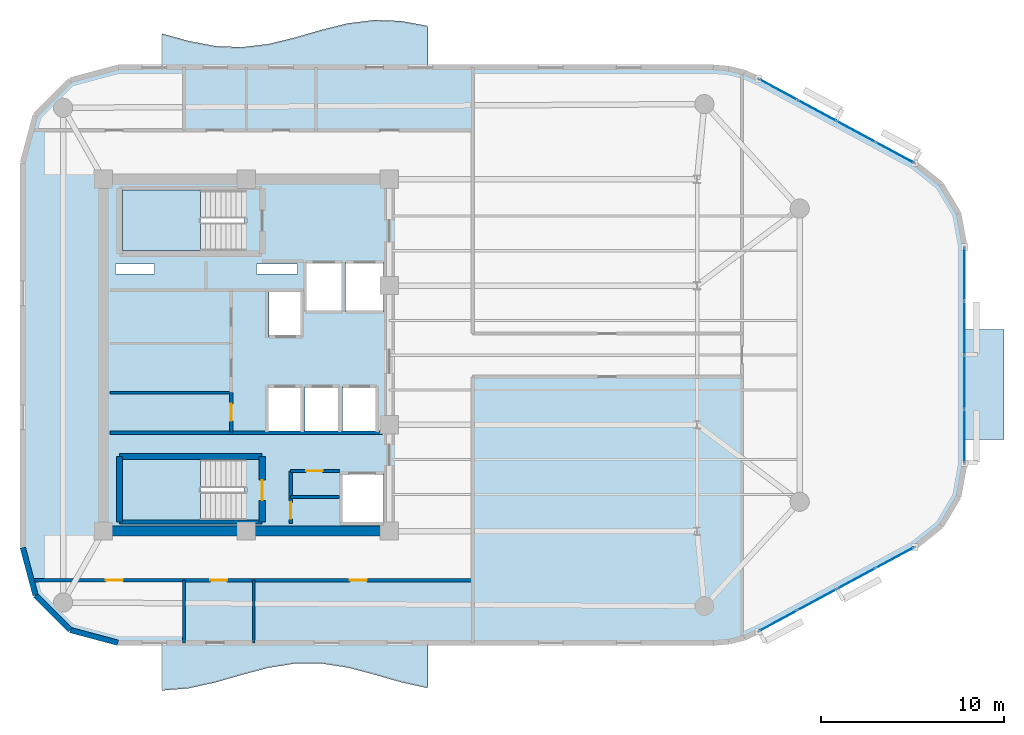
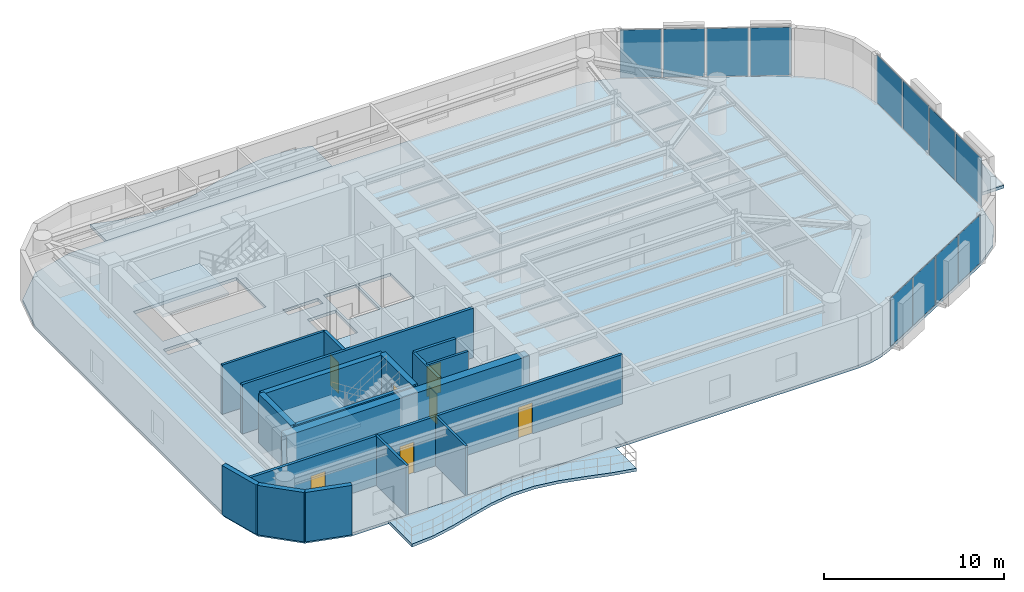
# One storey, part 8 of 13: 17 walls, 12 plates, 7 doors, 6 slabs, 7 openings, 5 elements without a shape of their own.
"""IFC4 building model written with IfcOpenShell, lengths in metres."""

from ifc_helpers import new_model, si_unit, direction, frame, frame_2d, origin, origin_2d, place, context, subcontext, project, spatial, polyline, rectangle, outline, extrude, material, layer, layer_set, type_object, element, fill, aggregate, save


model = new_model("IFC4")

# Units and contexts
model_context = context("Model", 3, precision=1e-05, world=origin(), true_north=direction((0.0, 1.0)))
body_context = subcontext(model_context, "Body", "Model", "MODEL_VIEW")
ifc_project = project(units=[si_unit("LENGTHUNIT", "METRE"), si_unit("AREAUNIT", "SQUARE_METRE"), si_unit("VOLUMEUNIT", "CUBIC_METRE"), si_unit("PLANEANGLEUNIT", "RADIAN"), si_unit("MASSUNIT", "GRAM", prefix="KILO")], contexts=[model_context])

# Site, building, storey
site_placement = place(None, origin())
site = spatial("IfcSite", under=ifc_project, at=site_placement, CompositionType="ELEMENT")
building_placement = place(site_placement, origin())
building = spatial("IfcBuilding", under=site, at=building_placement, Name="An Khanh Terracotta Commons", CompositionType="ELEMENT")
storey_placement = place(building_placement, frame((0.0, 0.0, 244.5)))
storey = spatial("IfcBuildingStorey", under=building, at=storey_placement, Name="L64", CompositionType="ELEMENT", Elevation=244.5)

# Curtain wall, plates
ifc_material_1 = material(Name="Anodised Aluminium 6063-T6", Category="aluminium")
ifc_layer_1 = layer(ifc_material_1, 0.2099609375, Name="Anodised Aluminium 6063-T6")
ifc_layer_set_1 = layer_set([ifc_layer_1], Name="Anodised Aluminium 6063-T6")
curtain_wall_type = type_object("IfcCurtainWallType", Name="CW-SYS-03", PredefinedType="USERDEFINED", material=ifc_layer_set_1)
curtain_wall_1_placement = place(storey_placement, origin())
curtain_wall_1 = element("IfcCurtainWall", 1, at=curtain_wall_1_placement, inside=storey, type_object=curtain_wall_type, Name="L64 CW-03 Unitised Curtain Wall CW-L64-08", ObjectType="UNITISED CURTAIN WALL", PredefinedType="USERDEFINED")
ifc_material_2 = material(Name="Acoustic Laminated Low-E Glazing", Category="glass")
ifc_layer_2 = layer(ifc_material_2, 0.035888671875, Name="Acoustic Laminated Low-E Glazing")
ifc_layer_set_2 = layer_set([ifc_layer_2], Name="Acoustic Laminated Low-E Glazing")
plate_type = type_object("IfcPlateType", Name="CWP-IGU-36", PredefinedType="CURTAIN_PANEL", material=ifc_layer_set_2)
plate_1_placement = place(storey_placement, frame((58.436767578125, 9.508544921875, 0.0498046875), z_axis=(0.0, 0.0, 1.0), x_axis=(0.879780095306, 0.47538088298, 0.0)))
plate_1 = element("IfcPlate", 2, at=plate_1_placement, type_object=plate_type, Name="CW-03 panel 1.1", PredefinedType="CURTAIN_PANEL", context=body_context, shape_type="SweptSolid", body=[
    extrude(rectangle(XDim=2.314697265625, YDim=0.035888671875, at=origin_2d()), origin(), (0.0, 0.0, 1.0), 3.260009765625),
])
plate_2_placement = place(storey_placement, frame((60.550048828125, 10.650390625, 0.0498046875), z_axis=(0.0, 0.0, 1.0), x_axis=(0.879780095306, 0.47538088298, 0.0)))
plate_2 = element("IfcPlate", 3, at=plate_2_placement, type_object=plate_type, Name="CW-03 panel 2.1", PredefinedType="CURTAIN_PANEL", context=body_context, shape_type="SweptSolid", body=[
    extrude(rectangle(XDim=2.349609375, YDim=0.035888671875, at=origin_2d()), origin(), (0.0, 0.0, 1.0), 3.260009765625),
])
plate_3_placement = place(storey_placement, frame((62.678955078125, 11.800537109375, 0.0498046875), z_axis=(0.0, 0.0, 1.0), x_axis=(0.879780095306, 0.47538088298, 0.0)))
plate_3 = element("IfcPlate", 4, at=plate_3_placement, type_object=plate_type, Name="CW-03 panel 3.1", PredefinedType="CURTAIN_PANEL", context=body_context, shape_type="SweptSolid", body=[
    extrude(rectangle(XDim=2.349609375, YDim=0.035888671875, at=origin_2d()), origin(), (0.0, 0.0, 1.0), 3.260009765625),
])
plate_4_placement = place(storey_placement, frame((64.792236328125, 12.942626953125, 0.0498046875), z_axis=(0.0, 0.0, 1.0), x_axis=(0.879780095306, 0.47538088298, 0.0)))
plate_4 = element("IfcPlate", 5, at=plate_4_placement, type_object=plate_type, Name="CW-03 panel 4.1", PredefinedType="CURTAIN_PANEL", context=body_context, shape_type="SweptSolid", body=[
    extrude(rectangle(XDim=2.314697265625, YDim=0.035888671875, at=origin_2d()), origin(), (0.0, 0.0, 1.0), 3.260009765625),
])
aggregate(curtain_wall_1, [plate_1, plate_2, plate_3, plate_4])

curtain_wall_2_placement = place(storey_placement, origin())
curtain_wall_2 = element("IfcCurtainWall", 6, at=curtain_wall_2_placement, inside=storey, type_object=curtain_wall_type, Name="L64 CW-03 Unitised Curtain Wall CW-L64-12", ObjectType="UNITISED CURTAIN WALL", PredefinedType="USERDEFINED")
plate_5_placement = place(storey_placement, frame((68.60009765625, 19.59326171875, 0.0498046875), z_axis=(0.0, 0.0, 1.0), x_axis=(0.0, 1.0, 0.0)))
plate_5 = element("IfcPlate", 7, at=plate_5_placement, type_object=plate_type, Name="CW-03 panel 1.1", PredefinedType="CURTAIN_PANEL", context=body_context, shape_type="SweptSolid", body=[
    extrude(rectangle(XDim=2.844482421875, YDim=0.035888671875, at=origin_2d()), origin(), (0.0, 0.0, 1.0), 3.260009765625),
])
plate_6_placement = place(storey_placement, frame((68.60009765625, 22.525146484375, 0.0498046875), z_axis=(0.0, 0.0, 1.0), x_axis=(0.0, 1.0, 0.0)))
plate_6 = element("IfcPlate", 8, at=plate_6_placement, type_object=plate_type, Name="CW-03 panel 2.1", PredefinedType="CURTAIN_PANEL", context=body_context, shape_type="SweptSolid", body=[
    extrude(rectangle(XDim=2.87939453125, YDim=0.035888671875, at=origin_2d()), origin(), (0.0, 0.0, 1.0), 3.260009765625),
])
plate_7_placement = place(storey_placement, frame((68.60009765625, 25.474853515625, 0.0498046875), z_axis=(0.0, 0.0, 1.0), x_axis=(0.0, 1.0, 0.0)))
plate_7 = element("IfcPlate", 9, at=plate_7_placement, type_object=plate_type, Name="CW-03 panel 3.1", PredefinedType="CURTAIN_PANEL", context=body_context, shape_type="SweptSolid", body=[
    extrude(rectangle(XDim=2.87939453125, YDim=0.035888671875, at=origin_2d()), origin(), (0.0, 0.0, 1.0), 3.260009765625),
])
plate_8_placement = place(storey_placement, frame((68.60009765625, 28.40673828125, 0.0498046875), z_axis=(0.0, 0.0, 1.0), x_axis=(0.0, 1.0, 0.0)))
plate_8 = element("IfcPlate", 10, at=plate_8_placement, type_object=plate_type, Name="CW-03 panel 4.1", PredefinedType="CURTAIN_PANEL", context=body_context, shape_type="SweptSolid", body=[
    extrude(rectangle(XDim=2.844482421875, YDim=0.035888671875, at=origin_2d()), origin(), (0.0, 0.0, 1.0), 3.260009765625),
])
aggregate(curtain_wall_2, [plate_5, plate_6, plate_7, plate_8])

curtain_wall_3_placement = place(storey_placement, origin())
curtain_wall_3 = element("IfcCurtainWall", 11, at=curtain_wall_3_placement, inside=storey, type_object=curtain_wall_type, Name="L64 CW-03 Unitised Curtain Wall CW-L64-16", ObjectType="UNITISED CURTAIN WALL", PredefinedType="USERDEFINED")
plate_9_placement = place(storey_placement, frame((64.792236328125, 35.057373046875, 0.0498046875), z_axis=(0.0, 0.0, 1.0), x_axis=(-0.879780095306, 0.47538088298, 0.0)))
plate_9 = element("IfcPlate", 12, at=plate_9_placement, type_object=plate_type, Name="CW-03 panel 1.1", PredefinedType="CURTAIN_PANEL", context=body_context, shape_type="SweptSolid", body=[
    extrude(rectangle(XDim=2.314697265625, YDim=0.035888671875, at=origin_2d()), origin(), (0.0, 0.0, 1.0), 3.260009765625),
])
plate_10_placement = place(storey_placement, frame((62.678955078125, 36.199462890625, 0.0498046875), z_axis=(0.0, 0.0, 1.0), x_axis=(-0.879780095306, 0.47538088298, 0.0)))
plate_10 = element("IfcPlate", 13, at=plate_10_placement, type_object=plate_type, Name="CW-03 panel 2.1", PredefinedType="CURTAIN_PANEL", context=body_context, shape_type="SweptSolid", body=[
    extrude(rectangle(XDim=2.349609375, YDim=0.035888671875, at=origin_2d()), origin(), (0.0, 0.0, 1.0), 3.260009765625),
])
plate_11_placement = place(storey_placement, frame((60.550048828125, 37.349609375, 0.0498046875), z_axis=(0.0, 0.0, 1.0), x_axis=(-0.879780095306, 0.47538088298, 0.0)))
plate_11 = element("IfcPlate", 14, at=plate_11_placement, type_object=plate_type, Name="CW-03 panel 3.1", PredefinedType="CURTAIN_PANEL", context=body_context, shape_type="SweptSolid", body=[
    extrude(rectangle(XDim=2.349609375, YDim=0.035888671875, at=origin_2d()), origin(), (0.0, 0.0, 1.0), 3.260009765625),
])
plate_12_placement = place(storey_placement, frame((58.436767578125, 38.491455078125, 0.0498046875), z_axis=(0.0, 0.0, 1.0), x_axis=(-0.879780095306, 0.47538088298, 0.0)))
plate_12 = element("IfcPlate", 15, at=plate_12_placement, type_object=plate_type, Name="CW-03 panel 4.1", PredefinedType="CURTAIN_PANEL", context=body_context, shape_type="SweptSolid", body=[
    extrude(rectangle(XDim=2.314697265625, YDim=0.035888671875, at=origin_2d()), origin(), (0.0, 0.0, 1.0), 3.260009765625),
])
aggregate(curtain_wall_3, [plate_9, plate_10, plate_11, plate_12])

# Slabs
ifc_material_3 = material(Name="Concrete C40/50", Category="concrete")
ifc_layer_3 = layer(ifc_material_3, 0.199951171875, Name="Concrete C40/50")
ifc_layer_set_3 = layer_set([ifc_layer_3], Name="Concrete C40/50")
slab_type_1 = type_object("IfcSlabType", Name="SLAB-BALC-200", PredefinedType="FLOOR", material=ifc_layer_set_3)
slab_1_placement = place(storey_placement, frame((0.0, 0.0, -0.199951171875)))
element("IfcSlab", 16, at=slab_1_placement, inside=storey, type_object=slab_type_1, Name="L64 S Sinusoidal Wave Balcony Slab", PredefinedType="FLOOR", context=body_context, shape_type="SweptSolid", body=[
    extrude(outline(polyline([(24.800048828125, 8.300048828125), (24.800048828125, 5.699951171875), (26.25, 5.818115234375), (27.699951171875, 6.135986328125), (29.14990234375, 6.552978515625), (30.60009765625, 6.93701171875), (32.050048828125, 7.16796875), (33.5, 7.172119140625), (34.949951171875, 6.947998046875), (36.39990234375, 6.56689453125), (37.85009765625, 6.14892578125), (39.300048828125, 5.825927734375), (39.300048828125, 8.300048828125), (24.800048828125, 8.300048828125)])), origin(), (0.0, 0.0, 1.0), 0.199951171875),
])
slab_2_placement = place(storey_placement, frame((0.0, 0.0, -0.199951171875)))
element("IfcSlab", 17, at=slab_2_placement, inside=storey, type_object=slab_type_1, Name="L64 N Sinusoidal Wave Balcony Slab", PredefinedType="FLOOR", context=body_context, shape_type="SweptSolid", body=[
    extrude(outline(polyline([(39.300048828125, 39.699951171875), (39.300048828125, 41.967041015625), (37.85009765625, 42.237060546875), (36.39990234375, 42.291015625), (34.949951171875, 42.111083984375), (33.5, 41.75390625), (32.050048828125, 41.33203125), (30.60009765625, 40.97998046875), (29.14990234375, 40.806884765625), (27.699951171875, 40.868896484375), (26.25, 41.14599609375), (24.800048828125, 41.550048828125), (24.800048828125, 39.699951171875), (39.300048828125, 39.699951171875)])), origin(), (0.0, 0.0, 1.0), 0.199951171875),
])
ifc_layer_4 = layer(ifc_material_3, 0.22998046875, Name="Concrete C40/50")
ifc_layer_set_4 = layer_set([ifc_layer_4], Name="Concrete C40/50")
slab_type_2 = type_object("IfcSlabType", Name="SLAB-BOXROOF-230", PredefinedType="ROOF", material=ifc_layer_set_4)
slab_3_placement = place(storey_placement, frame((0.0, 0.0, -0.199951171875)))
element("IfcSlab", 18, at=slab_3_placement, inside=storey, type_object=slab_type_2, Name="L64 Shifted Social Kitchen Box Closing Roof Slab (L63)", PredefinedType="ROOF", context=body_context, shape_type="SweptSolid", body=[
    extrude(outline(polyline([(68.60009765625, 19.39990234375), (70.75, 19.39990234375), (70.75, 25.39990234375), (68.60009765625, 25.39990234375), (68.60009765625, 19.39990234375)])), origin(), (0.0, 0.0, 1.0), 0.199951171875),
])

# Stair, slab
ifc_material_4 = material(Name="Precast concrete C40/50", Category="concrete")
stair_type = type_object("IfcStairType", Name="STAIR-CORE-1550", PredefinedType="HALF_TURN_STAIR", material=ifc_material_4)
stair_1_placement = place(storey_placement, origin())
stair_1 = element("IfcStair", 19, at=stair_1_placement, inside=storey, type_object=stair_type, Name="L64 Core Smokeproof Exit Stair ST-01", PredefinedType="HALF_TURN_STAIR")
ifc_layer_5 = layer(ifc_material_3, 0.18994140625, Name="Concrete C40/50")
ifc_layer_set_5 = layer_set([ifc_layer_5], Name="Concrete C40/50")
slab_type_3 = type_object("IfcSlabType", Name="SLAB-LANDING-190", PredefinedType="LANDING", material=ifc_layer_set_5)
slab_4_placement = place(storey_placement, frame((0.0, 0.0, 1.60009765625)))
slab_4 = element("IfcSlab", 20, at=slab_4_placement, type_object=slab_type_3, Name="ST-01 landing 1", PredefinedType="LANDING", context=body_context, shape_type="SweptSolid", body=[
    extrude(outline(polyline([(26.889892578125, 33.0), (22.64990234375, 33.0), (22.64990234375, 29.699951171875), (26.889892578125, 29.699951171875), (26.889892578125, 33.0)])), origin(), (0.0, 0.0, 1.0), 0.199951171875),
])
aggregate(stair_1, [slab_4])

stair_2_placement = place(storey_placement, origin())
stair_2 = element("IfcStair", 21, at=stair_2_placement, inside=storey, type_object=stair_type, Name="L64 Core Smokeproof Exit Stair ST-02", PredefinedType="HALF_TURN_STAIR")
slab_5_placement = place(storey_placement, frame((0.0, 0.0, 1.60009765625)))
slab_5 = element("IfcSlab", 22, at=slab_5_placement, type_object=slab_type_3, Name="ST-02 landing 1", PredefinedType="LANDING", context=body_context, shape_type="SweptSolid", body=[
    extrude(outline(polyline([(26.889892578125, 18.300048828125), (22.64990234375, 18.300048828125), (22.64990234375, 15.0), (26.889892578125, 15.0), (26.889892578125, 18.300048828125)])), origin(), (0.0, 0.0, 1.0), 0.199951171875),
])
aggregate(stair_2, [slab_5])

# Slab
ifc_layer_6 = layer(ifc_material_3, 0.199951171875, Name="Concrete C40/50")
ifc_layer_set_6 = layer_set([ifc_layer_6], Name="Concrete C40/50")
slab_type_4 = type_object("IfcSlabType", Name="SLAB-TYP-200", PredefinedType="FLOOR", material=ifc_layer_set_6)
slab_6_placement = place(storey_placement, frame((0.0, 0.0, -0.199951171875)))
element("IfcSlab", 23, at=slab_6_placement, inside=storey, type_object=slab_type_4, Name="L64 Structural Floor Slab", PredefinedType="FLOOR", context=body_context, shape_type="SweptSolid", body=[
    extrude(outline(polyline([(17.199951171875, 13.5), (17.89697265625, 10.89990234375), (19.800048828125, 8.9970703125), (22.39990234375, 8.300048828125), (54.885009765625, 8.300048828125), (55.739990234375, 8.37109375), (56.571044921875, 8.5810546875), (57.35693359375, 8.925048828125), (65.8720703125, 13.52587890625), (67.320068359375, 14.68408203125), (68.26904296875, 16.27587890625), (68.60009765625, 18.10107421875), (68.60009765625, 29.89892578125), (68.26904296875, 31.72412109375), (67.320068359375, 33.31591796875), (65.8720703125, 34.47412109375), (57.35693359375, 39.074951171875), (56.571044921875, 39.4189453125), (55.739990234375, 39.62890625), (54.885009765625, 39.699951171875), (22.39990234375, 39.699951171875), (19.800048828125, 39.0029296875), (17.89697265625, 37.10009765625), (17.199951171875, 34.5), (17.199951171875, 13.5)]), holes=[polyline([(22.64990234375, 29.699951171875), (29.27001953125, 29.699951171875), (29.27001953125, 33.0), (22.64990234375, 33.0), (22.64990234375, 29.699951171875)]), polyline([(22.64990234375, 15.0), (29.27001953125, 15.0), (29.27001953125, 18.300048828125), (22.64990234375, 18.300048828125), (22.64990234375, 15.0)]), polyline([(32.60009765625, 26.35009765625), (34.679931640625, 26.35009765625), (34.679931640625, 29.080078125), (32.60009765625, 29.080078125), (32.60009765625, 26.35009765625)]), polyline([(34.820068359375, 26.35009765625), (36.89990234375, 26.35009765625), (36.89990234375, 29.080078125), (34.820068359375, 29.080078125), (34.820068359375, 26.35009765625)]), polyline([(34.550048828125, 14.800048828125), (36.89990234375, 14.800048828125), (36.89990234375, 17.550048828125), (34.550048828125, 17.550048828125), (34.550048828125, 14.800048828125)]), polyline([(30.639892578125, 25.0), (32.4599609375, 25.0), (32.4599609375, 27.5), (30.639892578125, 27.5), (30.639892578125, 25.0)]), polyline([(30.56005859375, 19.800048828125), (32.4599609375, 19.800048828125), (32.4599609375, 22.300048828125), (30.56005859375, 22.300048828125), (30.56005859375, 19.800048828125)]), polyline([(32.60009765625, 19.800048828125), (34.5, 19.800048828125), (34.5, 22.300048828125), (32.60009765625, 22.300048828125), (32.60009765625, 19.800048828125)]), polyline([(34.639892578125, 19.800048828125), (36.5400390625, 19.800048828125), (36.5400390625, 22.300048828125), (34.639892578125, 22.300048828125), (34.639892578125, 19.800048828125)]), polyline([(22.25, 28.419921875), (24.39990234375, 28.419921875), (24.39990234375, 28.97998046875), (22.25, 28.97998046875), (22.25, 28.419921875)]), polyline([(29.949951171875, 28.419921875), (32.199951171875, 28.419921875), (32.199951171875, 28.97998046875), (29.949951171875, 28.97998046875), (29.949951171875, 28.419921875)])]), origin(), (0.0, 0.0, 1.0), 0.199951171875),
])

# Walls
ifc_material_5 = material(Name="Concrete C50/60", Category="concrete")
ifc_layer_7 = layer(ifc_material_5, 0.550048828125, Name="Concrete C50/60")
ifc_layer_set_7 = layer_set([ifc_layer_7], Name="Concrete C50/60")
wall_type_1 = type_object("IfcWallType", Name="WALL-CORE-550", PredefinedType="SHEAR", material=ifc_layer_set_7)
wall_1_placement = place(storey_placement, frame((37.199951171875, 14.39990234375, 0.0), z_axis=(0.0, 0.0, 1.0), x_axis=(-1.0, 0.0, 0.0)))
element("IfcWall", 24, at=wall_1_placement, inside=storey, type_object=wall_type_1, Name="L64 Core Wall CWALL-L64-S", PredefinedType="SHEAR", context=body_context, shape_type="SweptSolid", body=[
    extrude(rectangle(XDim=15.599853515625, YDim=0.550048828125, at=frame_2d((7.7998046875, 0.0))), origin(), (0.0, 0.0, 1.0), 3.360107421875),
])
ifc_material_6 = material(Name="Fire-Rated Gypsum Board on Steel Stud", Category="steel")
ifc_layer_8 = layer(ifc_material_6, 0.179931640625, Name="Fire-Rated Gypsum Board on Steel Stud")
ifc_layer_set_8 = layer_set([ifc_layer_8], Name="Fire-Rated Gypsum Board on Steel Stud")
wall_type_2 = type_object("IfcWallType", Name="WALL-CORR-180", PredefinedType="PARTITIONING", material=ifc_layer_set_8)
wall_2_placement = place(storey_placement, frame((21.949951171875, 19.760009765625, 0.0), z_axis=(0.0, 0.0, 1.0), x_axis=(1.0, 0.0, 0.0)))
element("IfcWall", 25, at=wall_2_placement, inside=storey, type_object=wall_type_2, Name="L64 Core Wall SVW-L64-N", PredefinedType="PARTITIONING", context=body_context, shape_type="SweptSolid", body=[
    extrude(rectangle(XDim=14.8701171875, YDim=0.179931640625, at=frame_2d((7.43505859375, 0.0))), origin(), (0.0, 0.0, 1.0), 3.360107421875),
])

# Wall, opening, door
wall_3_placement = place(storey_placement, frame((31.820068359375, 17.679931640625, 0.0), z_axis=(0.0, 0.0, 1.0), x_axis=(1.0, 0.0, 0.0)))
wall_3 = element("IfcWall", 26, at=wall_3_placement, inside=storey, type_object=wall_type_2, Name="L64 Core Wall SSVCW-L64-N", PredefinedType="PARTITIONING", context=body_context, shape_type="SweptSolid", body=[
    extrude(rectangle(XDim=2.659912109375, YDim=0.179931640625, at=frame_2d((1.330078125, 0.0))), origin(), (0.0, 0.0, 1.0), 3.360107421875),
])
opening_1_placement = place(wall_3_placement, frame((0.85009765625, 0.0, 0.0)))
opening_1 = element("IfcOpeningElement", 27, at=opening_1_placement, cuts=wall_3, Name="Opening D-SV", PredefinedType="OPENING", context=body_context, shape_type="SweptSolid", body=[
    extrude(rectangle(XDim=0.89990234375, YDim=2.050048828125, at=frame_2d((0.449951171875, 1.02490234375))), frame((0.0, 0.099853515625, 0.0), z_axis=(0.0, -1.0, 0.0), x_axis=(1.0, 0.0, 0.0)), (0.0, 0.0, 1.0), 0.199951171875),
])
ifc_material_7 = material(Name="Fire-Rated Powder-Coated Steel Door", Category="steel")
door_type_1 = type_object("IfcDoorType", Name="DOOR-SERV-900", OperationType="NOTDEFINED", PredefinedType="DOOR", material=ifc_material_7)
door_1_placement = place(opening_1_placement, origin())
door_1 = element("IfcDoor", 28, at=door_1_placement, inside=storey, type_object=door_type_1, Name="L64 Core Cleaner Store Door", OperationType="SINGLE_SWING_RIGHT", OverallHeight=2.050048828125, OverallWidth=0.89990234375, PredefinedType="DOOR", context=body_context, shape_type="SweptSolid", body=[
    extrude(rectangle(XDim=0.89990234375, YDim=2.050048828125, at=frame_2d((0.449951171875, 1.02490234375))), frame((0.0, 0.02490234375, 0.0), z_axis=(0.0, -1.0, 0.0), x_axis=(1.0, 0.0, 0.0)), (0.0, 0.0, 1.0), 0.050048828125),
])
fill(opening_1, door_1)

wall_4_placement = place(storey_placement, frame((31.820068359375, 14.800048828125, 0.0), z_axis=(0.0, 0.0, 1.0), x_axis=(0.0, 1.0, 0.0)))
wall_4 = element("IfcWall", 29, at=wall_4_placement, inside=storey, type_object=wall_type_2, Name="L64 Core Wall SSVCW-L64-W", PredefinedType="PARTITIONING", context=body_context, shape_type="SweptSolid", body=[
    extrude(rectangle(XDim=2.8798828125, YDim=0.179931640625, at=frame_2d((1.43994140625, 0.0))), origin(), (0.0, 0.0, 1.0), 3.360107421875),
])
opening_2_placement = place(wall_4_placement, frame((0.260009765625, 0.0, 0.0)))
opening_2 = element("IfcOpeningElement", 30, at=opening_2_placement, cuts=wall_4, Name="Opening D-SV", PredefinedType="OPENING", context=body_context, shape_type="SweptSolid", body=[
    extrude(rectangle(XDim=0.89990234375, YDim=2.050048828125, at=frame_2d((0.449951171875, 1.02490234375))), frame((0.0, 0.099853515625, 0.0), z_axis=(0.0, -1.0, 0.0), x_axis=(1.0, 0.0, 0.0)), (0.0, 0.0, 1.0), 0.199951171875),
])
door_2_placement = place(opening_2_placement, origin())
door_2 = element("IfcDoor", 31, at=door_2_placement, inside=storey, type_object=door_type_1, Name="L64 Telecoms BMS Cupboard Door", OperationType="SINGLE_SWING_LEFT", OverallHeight=2.050048828125, OverallWidth=0.89990234375, PredefinedType="DOOR", context=body_context, shape_type="SweptSolid", body=[
    extrude(rectangle(XDim=0.89990234375, YDim=2.050048828125, at=frame_2d((0.449951171875, 1.02490234375))), frame((0.0, 0.02490234375, 0.0), z_axis=(0.0, -1.0, 0.0), x_axis=(1.0, 0.0, 0.0)), (0.0, 0.0, 1.0), 0.050048828125),
])
fill(opening_2, door_2)

wall_5_placement = place(storey_placement, frame((28.580078125, 19.800048828125, 0.0), z_axis=(0.0, 0.0, 1.0), x_axis=(0.0, 1.0, 0.0)))
wall_5 = element("IfcWall", 32, at=wall_5_placement, inside=storey, type_object=wall_type_2, Name="L64 Core Wall RECW-L64-E3", PredefinedType="PARTITIONING", context=body_context, shape_type="SweptSolid", body=[
    extrude(rectangle(XDim=2.14990234375, YDim=0.179931640625, at=frame_2d((1.074951171875, 0.0))), origin(), (0.0, 0.0, 1.0), 3.360107421875),
])
opening_3_placement = place(wall_5_placement, frame((0.614990234375, 0.0, 0.0)))
opening_3 = element("IfcOpeningElement", 33, at=opening_3_placement, cuts=wall_5, Name="Opening D-RM", PredefinedType="OPENING", context=body_context, shape_type="SweptSolid", body=[
    extrude(rectangle(XDim=0.919921875, YDim=2.10009765625, at=frame_2d((0.4599609375, 1.050048828125))), frame((0.0, 0.099853515625, 0.0), z_axis=(0.0, -1.0, 0.0), x_axis=(1.0, 0.0, 0.0)), (0.0, 0.0, 1.0), 0.199951171875),
])
ifc_material_8 = material(Name="Engineered Hardwood Timber Leaf", Category="wood")
door_type_2 = type_object("IfcDoorType", Name="DOOR-INT-920", OperationType="NOTDEFINED", PredefinedType="DOOR", material=ifc_material_8)
door_3_placement = place(opening_3_placement, origin())
door_3 = element("IfcDoor", 34, at=door_3_placement, inside=storey, type_object=door_type_2, Name="L64 Communal Laundry Room Door", OperationType="SINGLE_SWING_RIGHT", OverallHeight=2.10009765625, OverallWidth=0.919921875, PredefinedType="DOOR", context=body_context, shape_type="SweptSolid", body=[
    extrude(rectangle(XDim=0.919921875, YDim=2.10009765625, at=frame_2d((0.4599609375, 1.050048828125))), frame((0.0, 0.02490234375, 0.0), z_axis=(0.0, -1.0, 0.0), x_axis=(1.0, 0.0, 0.0)), (0.0, 0.0, 1.0), 0.050048828125),
])
fill(opening_3, door_3)

# Wall, openings, doors
wall_6_placement = place(storey_placement, frame((17.677001953125, 11.719970703125, 0.0), z_axis=(0.0, 0.0, 1.0), x_axis=(1.0, 0.0, 0.0)))
wall_6 = element("IfcWall", 35, at=wall_6_placement, inside=storey, type_object=wall_type_2, Name="L64 Interior Partition IW-L64-E001", PredefinedType="PARTITIONING", context=body_context, shape_type="SweptSolid", body=[
    extrude(rectangle(XDim=24.072998046875, YDim=0.179931640625, at=frame_2d((12.03662109375, 0.0))), origin(), (0.0, 0.0, 1.0), 3.360107421875),
])
opening_4_placement = place(wall_6_placement, frame((9.762939453125, 0.0, 0.0)))
opening_4 = element("IfcOpeningElement", 36, at=opening_4_placement, cuts=wall_6, Name="Opening D-RM", PredefinedType="OPENING", context=body_context, shape_type="SweptSolid", body=[
    extrude(rectangle(XDim=0.919921875, YDim=2.10009765625, at=frame_2d((0.4599609375, 1.050048828125))), frame((0.0, 0.099853515625, 0.0), z_axis=(0.0, -1.0, 0.0), x_axis=(1.0, 0.0, 0.0)), (0.0, 0.0, 1.0), 0.199951171875),
])
opening_5_placement = place(wall_6_placement, frame((4.06298828125, 0.0, 0.0)))
opening_5 = element("IfcOpeningElement", 37, at=opening_5_placement, cuts=wall_6, Name="Opening D-RM", PredefinedType="OPENING", context=body_context, shape_type="SweptSolid", body=[
    extrude(rectangle(XDim=0.919921875, YDim=2.10009765625, at=frame_2d((0.4599609375, 1.050048828125))), frame((0.0, 0.099853515625, 0.0), z_axis=(0.0, -1.0, 0.0), x_axis=(1.0, 0.0, 0.0)), (0.0, 0.0, 1.0), 0.199951171875),
])
opening_6_placement = place(wall_6_placement, frame((17.3779296875, 0.0, 0.0)))
opening_6 = element("IfcOpeningElement", 38, at=opening_6_placement, cuts=wall_6, Name="Opening D-RM", PredefinedType="OPENING", context=body_context, shape_type="SweptSolid", body=[
    extrude(rectangle(XDim=0.919921875, YDim=2.10009765625, at=frame_2d((0.4599609375, 1.050048828125))), frame((0.0, 0.099853515625, 0.0), z_axis=(0.0, -1.0, 0.0), x_axis=(1.0, 0.0, 0.0)), (0.0, 0.0, 1.0), 0.199951171875),
])
door_4_placement = place(opening_4_placement, origin())
door_4 = element("IfcDoor", 39, at=door_4_placement, inside=storey, type_object=door_type_2, Name="L64 HKP Housekeeping Linen Store Door", OperationType="SINGLE_SWING_LEFT", OverallHeight=2.10009765625, OverallWidth=0.919921875, PredefinedType="DOOR", context=body_context, shape_type="SweptSolid", body=[
    extrude(rectangle(XDim=0.919921875, YDim=2.10009765625, at=frame_2d((0.4599609375, 1.050048828125))), frame((0.0, 0.02490234375, 0.0), z_axis=(0.0, -1.0, 0.0), x_axis=(1.0, 0.0, 0.0)), (0.0, 0.0, 1.0), 0.050048828125),
])
fill(opening_4, door_4)
door_5_placement = place(opening_5_placement, origin())
door_5 = element("IfcDoor", 40, at=door_5_placement, inside=storey, type_object=door_type_2, Name="L64 SW1 Academic Seminar Room Door", OperationType="SINGLE_SWING_LEFT", OverallHeight=2.10009765625, OverallWidth=0.919921875, PredefinedType="DOOR", context=body_context, shape_type="SweptSolid", body=[
    extrude(rectangle(XDim=0.919921875, YDim=2.10009765625, at=frame_2d((0.4599609375, 1.050048828125))), frame((0.0, 0.02490234375, 0.0), z_axis=(0.0, -1.0, 0.0), x_axis=(1.0, 0.0, 0.0)), (0.0, 0.0, 1.0), 0.050048828125),
])
fill(opening_5, door_5)
door_6_placement = place(opening_6_placement, origin())
door_6 = element("IfcDoor", 41, at=door_6_placement, inside=storey, type_object=door_type_2, Name="L64 SWE Music Practice Room Door", OperationType="SINGLE_SWING_RIGHT", OverallHeight=2.10009765625, OverallWidth=0.919921875, PredefinedType="DOOR", context=body_context, shape_type="SweptSolid", body=[
    extrude(rectangle(XDim=0.919921875, YDim=2.10009765625, at=frame_2d((0.4599609375, 1.050048828125))), frame((0.0, 0.02490234375, 0.0), z_axis=(0.0, -1.0, 0.0), x_axis=(1.0, 0.0, 0.0)), (0.0, 0.0, 1.0), 0.050048828125),
])
fill(opening_6, door_6)

# Walls
ifc_layer_9 = layer(ifc_material_4, 0.300048828125, Name="Precast concrete C40/50")
ifc_layer_set_9 = layer_set([ifc_layer_9], Name="Precast concrete C40/50")
wall_type_3 = type_object("IfcWallType", Name="WALL-EXT-300", PredefinedType="SOLIDWALL", material=ifc_layer_set_9)
wall_7_placement = place(storey_placement, frame((17.199951171875, 13.5, 0.0), z_axis=(0.0, 0.0, 1.0), x_axis=(0.258932525951, -0.965895412042, 0.0)))
element("IfcWall", 42, at=wall_7_placement, inside=storey, type_object=wall_type_3, Name="L64 Insulated Terracotta Exterior Wall 1", PredefinedType="SOLIDWALL", context=body_context, shape_type="SweptSolid", body=[
    extrude(rectangle(XDim=2.69189453125, YDim=0.300048828125, at=frame_2d((1.345947265625, 0.0))), origin(), (0.0, 0.0, 1.0), 3.360107421875),
])
wall_8_placement = place(storey_placement, frame((17.89697265625, 10.89990234375, 0.0), z_axis=(0.0, 0.0, 1.0), x_axis=(0.707152139074, -0.70706142039, 0.0)))
element("IfcWall", 43, at=wall_8_placement, inside=storey, type_object=wall_type_3, Name="L64 Insulated Terracotta Exterior Wall 2", PredefinedType="SOLIDWALL", context=body_context, shape_type="SweptSolid", body=[
    extrude(rectangle(XDim=2.691162109375, YDim=0.300048828125, at=frame_2d((1.345703125, 0.0))), origin(), (0.0, 0.0, 1.0), 3.360107421875),
])
wall_9_placement = place(storey_placement, frame((19.800048828125, 8.9970703125, 0.0), z_axis=(0.0, 0.0, 1.0), x_axis=(0.965889330541, -0.258955210695, 0.0)))
element("IfcWall", 44, at=wall_9_placement, inside=storey, type_object=wall_type_3, Name="L64 Insulated Terracotta Exterior Wall 3", PredefinedType="SOLIDWALL", context=body_context, shape_type="SweptSolid", body=[
    extrude(rectangle(XDim=2.691650390625, YDim=0.300048828125, at=frame_2d((1.345703125, 0.0))), origin(), (0.0, 0.0, 1.0), 3.360107421875),
])
ifc_material_9 = material(Name="Acoustic Gypsum Board Partition")
ifc_layer_10 = layer(ifc_material_9, 0.14990234375, Name="Acoustic Gypsum Board Partition")
ifc_layer_set_10 = layer_set([ifc_layer_10], Name="Acoustic Gypsum Board Partition")
wall_type_4 = type_object("IfcWallType", Name="WALL-PART-150", PredefinedType="PARTITIONING", material=ifc_layer_set_10)
wall_10_placement = place(storey_placement, frame((31.820068359375, 16.260009765625, 0.0), z_axis=(0.0, 0.0, 1.0), x_axis=(1.0, 0.0, 0.0)))
element("IfcWall", 45, at=wall_10_placement, inside=storey, type_object=wall_type_4, Name="L64 Core Wall SSVCW-L64-M", PredefinedType="PARTITIONING", context=body_context, shape_type="SweptSolid", body=[
    extrude(rectangle(XDim=2.659912109375, YDim=0.14990234375, at=frame_2d((1.330078125, 0.0))), origin(), (0.0, 0.0, 1.0), 3.360107421875),
])
wall_11_placement = place(storey_placement, frame((21.949951171875, 21.949951171875, 0.0), z_axis=(0.0, 0.0, 1.0), x_axis=(1.0, 0.0, 0.0)))
element("IfcWall", 46, at=wall_11_placement, inside=storey, type_object=wall_type_4, Name="L64 Core Wall RECW-L64-H2", PredefinedType="PARTITIONING", context=body_context, shape_type="SweptSolid", body=[
    extrude(rectangle(XDim=6.630126953125, YDim=0.14990234375, at=frame_2d((3.31494140625, 0.0))), origin(), (0.0, 0.0, 1.0), 3.360107421875),
])
for number, where, z_axis, x_axis, name in (
    (47, (26.0, 8.300048828125, 0.0), (0.0, 0.0, 1.0), (0.0, 1.0, 0.0), "L64 Interior Partition IW-L64-E005"),
    (48, (29.800048828125, 8.300048828125, 0.0), (0.0, 0.0, 1.0), (0.0, 1.0, 0.0), "L64 Interior Partition IW-L64-E008"),
):
    element("IfcWall", number, at=place(storey_placement, frame(where, z_axis=z_axis, x_axis=x_axis)), inside=storey, type_object=wall_type_4, Name=name, PredefinedType="PARTITIONING", context=body_context, shape_type="SweptSolid", body=[
        extrude(rectangle(XDim=3.419921875, YDim=0.14990234375, at=frame_2d((1.7099609375, 0.0))), origin(), (0.0, 0.0, 1.0), 3.360107421875),
    ])
ifc_material_10 = material(Name="Acoustic Double-Stud Gypsum and Mineral Wool")
ifc_layer_11 = layer(ifc_material_10, 0.219970703125, Name="Acoustic Double-Stud Gypsum and Mineral Wool")
ifc_layer_set_11 = layer_set([ifc_layer_11], Name="Acoustic Double-Stud Gypsum and Mineral Wool")
wall_type_5 = type_object("IfcWallType", Name="WALL-PARTY-220", PredefinedType="PARTITIONING", material=ifc_layer_set_11)
wall_12_placement = place(storey_placement, frame((22.47998046875, 14.889892578125, 0.0), z_axis=(0.0, 0.0, 1.0), x_axis=(1.0, 0.0, 0.0)))
element("IfcWall", 49, at=wall_12_placement, inside=storey, type_object=wall_type_5, Name="L64 Core Wall STW-L64-S-S", PredefinedType="PARTITIONING", context=body_context, shape_type="SweptSolid", body=[
    extrude(rectangle(XDim=7.7900390625, YDim=0.219970703125, at=frame_2d((3.89501953125, 0.0))), origin(), (0.0, 0.0, 1.0), 3.360107421875),
])
ifc_layer_12 = layer(ifc_material_5, 0.35009765625, Name="Concrete C50/60")
ifc_layer_set_12 = layer_set([ifc_layer_12], Name="Concrete C50/60")
wall_type_6 = type_object("IfcWallType", Name="WALL-SHAFT-350", PredefinedType="SOLIDWALL", material=ifc_layer_set_12)
wall_13_placement = place(storey_placement, frame((22.47998046875, 18.469970703125, 0.0), z_axis=(0.0, 0.0, 1.0), x_axis=(1.0, 0.0, 0.0)))
element("IfcWall", 50, at=wall_13_placement, inside=storey, type_object=wall_type_6, Name="L64 Core Wall STW-L64-S-N", PredefinedType="SOLIDWALL", context=body_context, shape_type="SweptSolid", body=[
    extrude(rectangle(XDim=7.7900390625, YDim=0.35009765625, at=frame_2d((3.89501953125, 0.0))), origin(), (0.0, 0.0, 1.0), 3.360107421875),
])
wall_14_placement = place(storey_placement, frame((22.47998046875, 14.889892578125, 0.0), z_axis=(0.0, 0.0, 1.0), x_axis=(0.0, 1.0, 0.0)))
element("IfcWall", 51, at=wall_14_placement, inside=storey, type_object=wall_type_6, Name="L64 Core Wall STW-L64-S-W", PredefinedType="SOLIDWALL", context=body_context, shape_type="SweptSolid", body=[
    extrude(rectangle(XDim=3.580078125, YDim=0.35009765625, at=frame_2d((1.7900390625, 0.0))), origin(), (0.0, 0.0, 1.0), 3.360107421875),
])

# Wall, opening, door
wall_15_placement = place(storey_placement, frame((30.27001953125, 14.889892578125, 0.0), z_axis=(0.0, 0.0, 1.0), x_axis=(0.0, 1.0, 0.0)))
wall_15 = element("IfcWall", 52, at=wall_15_placement, inside=storey, type_object=wall_type_6, Name="L64 Core Wall STW-L64-S-E", PredefinedType="SOLIDWALL", context=body_context, shape_type="SweptSolid", body=[
    extrude(rectangle(XDim=3.580078125, YDim=0.35009765625, at=frame_2d((1.7900390625, 0.0))), origin(), (0.0, 0.0, 1.0), 3.360107421875),
])
opening_7_placement = place(wall_15_placement, frame((1.18994140625, 0.0, 0.0)))
opening_7 = element("IfcOpeningElement", 53, at=opening_7_placement, cuts=wall_15, Name="Opening D-ST", PredefinedType="OPENING", context=body_context, shape_type="SweptSolid", body=[
    extrude(rectangle(XDim=1.10009765625, YDim=2.14990234375, at=frame_2d((0.550048828125, 1.074951171875))), frame((0.0, 0.18505859375, 0.0), z_axis=(0.0, -1.0, 0.0), x_axis=(1.0, 0.0, 0.0)), (0.0, 0.0, 1.0), 0.3701171875),
])
ifc_material_11 = material(Name="Fire-Rated Steel Leaf and Frame", Category="steel")
door_type_3 = type_object("IfcDoorType", Name="DOOR-STAIR-1100", OperationType="NOTDEFINED", PredefinedType="DOOR", material=ifc_material_11)
door_7_placement = place(opening_7_placement, origin())
door_7 = element("IfcDoor", 54, at=door_7_placement, inside=storey, type_object=door_type_3, Name="L64 Stair ST-02 Fire Door", OperationType="SINGLE_SWING_LEFT", OverallHeight=2.14990234375, OverallWidth=1.10009765625, PredefinedType="DOOR", context=body_context, shape_type="SweptSolid", body=[
    extrude(rectangle(XDim=1.10009765625, YDim=2.14990234375, at=frame_2d((0.550048828125, 1.074951171875))), frame((0.0, 0.02490234375, 0.0), z_axis=(0.0, -1.0, 0.0), x_axis=(1.0, 0.0, 0.0)), (0.0, 0.0, 1.0), 0.050048828125),
])
fill(opening_7, door_7)

save(model, "model.ifc")
